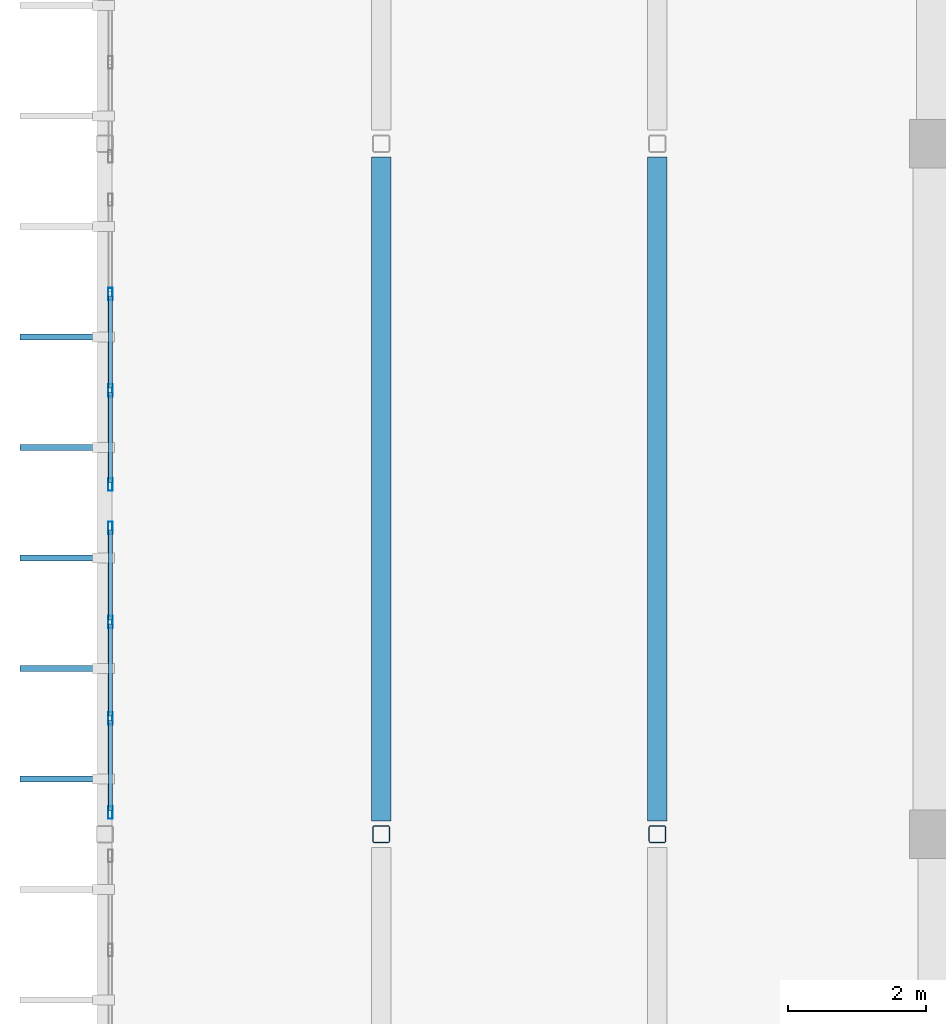
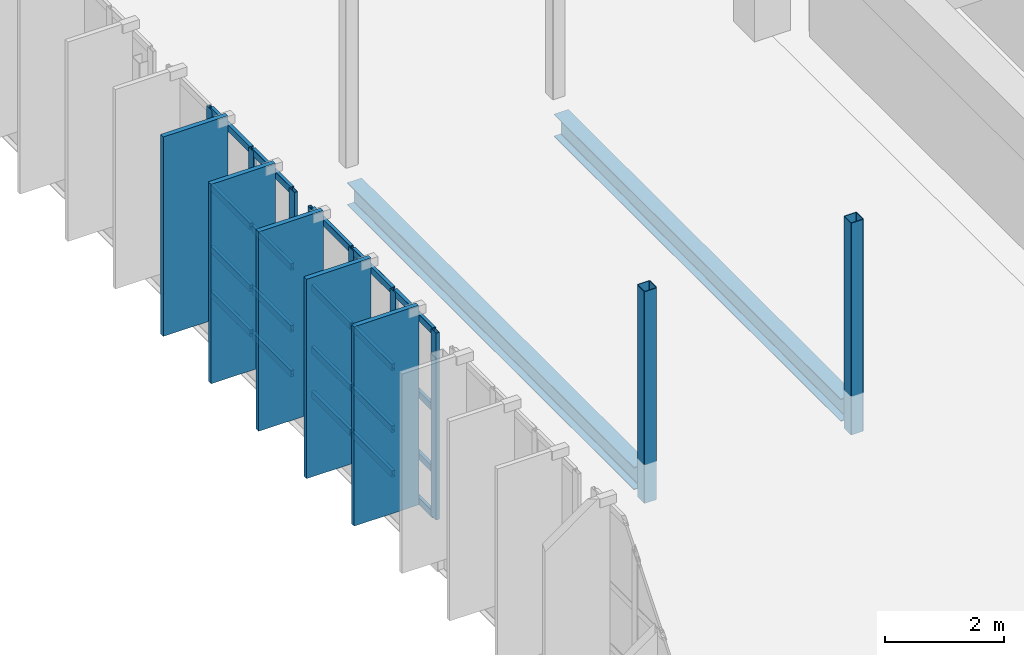
# One storey, part 32 of 110: 34 members, 2 beams, 2 elements without a shape of their own.
"""IFC4 building model written with IfcOpenShell, lengths in metres."""

from ifc_helpers import new_model, si_unit, direction, frame, origin, origin_2d, place, context, subcontext, project, spatial, rectangle, hollow_rectangle, i_section, extrude, material, material_profile, profile_set, type_object, element, aggregate, save


model = new_model("IFC4")

# Units and contexts
model_context = context("Model", 3, precision=1e-05, world=origin(), true_north=direction((0.0, 1.0)))
body_context = subcontext(model_context, "Body", "Model", "MODEL_VIEW")
ifc_project = project(units=[si_unit("LENGTHUNIT", "METRE"), si_unit("AREAUNIT", "SQUARE_METRE"), si_unit("VOLUMEUNIT", "CUBIC_METRE"), si_unit("PLANEANGLEUNIT", "RADIAN"), si_unit("MASSUNIT", "GRAM", prefix="KILO")], contexts=[model_context])

# Site, building, storey
site_placement = place(None, origin())
site = spatial("IfcSite", under=ifc_project, at=site_placement, CompositionType="ELEMENT")
building_placement = place(site_placement, origin())
building = spatial("IfcBuilding", under=site, at=building_placement, Name="Miravela Opera House", CompositionType="ELEMENT")
storey_placement = place(building_placement, frame((0.0, 0.0, 13.60009765625)))
storey = spatial("IfcBuildingStorey", under=building, at=storey_placement, Name="L03", CompositionType="ELEMENT", Elevation=13.60009765625)

# Curtain wall, members
ifc_material_1 = material(Name="Anodised architectural bronze aluminium 6063-T6", Category="aluminium")
curtain_wall_type = type_object("IfcCurtainWallType", Name="ARC-CW-02", PredefinedType="NOTDEFINED", material=ifc_material_1)
curtain_wall_1_placement = place(storey_placement, origin())
curtain_wall_1 = element("IfcCurtainWall", 1, at=curtain_wall_1_placement, inside=storey, type_object=curtain_wall_type, Name="Cantilever West Wrapper Glazing B5 CW-L03-019", PredefinedType="NOTDEFINED")
ifc_material_profile_1 = material_profile(ifc_material_1, hollow_rectangle(XDim=0.06494140625, YDim=0.179931640625, WallThickness=0.00390625, InnerFilletRadius=0.001953125, OuterFilletRadius=0.00390625, at=origin_2d()), Name="CWM-65X180")
ifc_profile_set_1 = profile_set([ifc_material_profile_1])
member_type_1 = type_object("IfcMemberType", Name="ARC-CWM-180", PredefinedType="MULLION", material=ifc_profile_set_1)
member_1_placement = place(storey_placement, frame((15.080078125, 56.3125, 0.0), z_axis=(0.0, 0.0, 1.0), x_axis=(-1.0, 0.0, 0.0)))
member_1 = element("IfcMember", 2, at=member_1_placement, type_object=member_type_1, Name="CW-02 mullion 1", PredefinedType="MULLION", context=body_context, shape_type="SweptSolid", body=[
    extrude(hollow_rectangle(XDim=0.06494140625, YDim=0.179931640625, WallThickness=0.00390625, InnerFilletRadius=0.001953125, OuterFilletRadius=0.00390625, at=origin_2d()), origin(), (0.0, 0.0, 1.0), 3.81982421875),
])
member_2_placement = place(storey_placement, frame((15.080078125, 57.6767578125, 0.0), z_axis=(0.0, 0.0, 1.0), x_axis=(-1.0, 0.0, 0.0)))
member_2 = element("IfcMember", 3, at=member_2_placement, type_object=member_type_1, Name="CW-02 mullion 2", PredefinedType="MULLION", context=body_context, shape_type="SweptSolid", body=[
    extrude(hollow_rectangle(XDim=0.06494140625, YDim=0.179931640625, WallThickness=0.00390625, InnerFilletRadius=0.001953125, OuterFilletRadius=0.00390625, at=origin_2d()), origin(), (0.0, 0.0, 1.0), 3.81982421875),
])
member_3_placement = place(storey_placement, frame((15.080078125, 59.0732421875, 0.0), z_axis=(0.0, 0.0, 1.0), x_axis=(-1.0, 0.0, 0.0)))
member_3 = element("IfcMember", 4, at=member_3_placement, type_object=member_type_1, Name="CW-02 mullion 3", PredefinedType="MULLION", context=body_context, shape_type="SweptSolid", body=[
    extrude(hollow_rectangle(XDim=0.06494140625, YDim=0.179931640625, WallThickness=0.00390625, InnerFilletRadius=0.001953125, OuterFilletRadius=0.00390625, at=origin_2d()), origin(), (0.0, 0.0, 1.0), 3.81982421875),
])
member_4_placement = place(storey_placement, frame((15.080078125, 60.4375, 0.0), z_axis=(0.0, 0.0, 1.0), x_axis=(-1.0, 0.0, 0.0)))
member_4 = element("IfcMember", 5, at=member_4_placement, type_object=member_type_1, Name="CW-02 mullion 4", PredefinedType="MULLION", context=body_context, shape_type="SweptSolid", body=[
    extrude(hollow_rectangle(XDim=0.06494140625, YDim=0.179931640625, WallThickness=0.00390625, InnerFilletRadius=0.001953125, OuterFilletRadius=0.00390625, at=origin_2d()), origin(), (0.0, 0.0, 1.0), 3.81982421875),
])

curtain_wall_2_placement = place(storey_placement, origin())
curtain_wall_2 = element("IfcCurtainWall", 6, at=curtain_wall_2_placement, inside=storey, type_object=curtain_wall_type, Name="Cantilever West Wrapper Glazing B6 CW-L03-020", PredefinedType="NOTDEFINED")
member_5_placement = place(storey_placement, frame((15.080078125, 61.0625, 0.0), z_axis=(0.0, 0.0, 1.0), x_axis=(-1.0, 0.0, 0.0)))
member_5 = element("IfcMember", 7, at=member_5_placement, type_object=member_type_1, Name="CW-02 mullion 1", PredefinedType="MULLION", context=body_context, shape_type="SweptSolid", body=[
    extrude(hollow_rectangle(XDim=0.06494140625, YDim=0.179931640625, WallThickness=0.00390625, InnerFilletRadius=0.001953125, OuterFilletRadius=0.00390625, at=origin_2d()), origin(), (0.0, 0.0, 1.0), 3.81982421875),
])
member_6_placement = place(storey_placement, frame((15.080078125, 62.4267578125, 0.0), z_axis=(0.0, 0.0, 1.0), x_axis=(-1.0, 0.0, 0.0)))
member_6 = element("IfcMember", 8, at=member_6_placement, type_object=member_type_1, Name="CW-02 mullion 2", PredefinedType="MULLION", context=body_context, shape_type="SweptSolid", body=[
    extrude(hollow_rectangle(XDim=0.06494140625, YDim=0.179931640625, WallThickness=0.00390625, InnerFilletRadius=0.001953125, OuterFilletRadius=0.00390625, at=origin_2d()), origin(), (0.0, 0.0, 1.0), 3.81982421875),
])
member_7_placement = place(storey_placement, frame((15.080078125, 63.8232421875, 0.0), z_axis=(0.0, 0.0, 1.0), x_axis=(-1.0, 0.0, 0.0)))
member_7 = element("IfcMember", 9, at=member_7_placement, type_object=member_type_1, Name="CW-02 mullion 3", PredefinedType="MULLION", context=body_context, shape_type="SweptSolid", body=[
    extrude(hollow_rectangle(XDim=0.06494140625, YDim=0.179931640625, WallThickness=0.00390625, InnerFilletRadius=0.001953125, OuterFilletRadius=0.00390625, at=origin_2d()), origin(), (0.0, 0.0, 1.0), 3.81982421875),
])

# Member
ifc_material_profile_2 = material_profile(ifc_material_1, hollow_rectangle(XDim=0.06494140625, YDim=0.139892578125, WallThickness=0.00390625, InnerFilletRadius=0.001953125, OuterFilletRadius=0.00390625, at=origin_2d()), Name="CWT-65X140")
ifc_profile_set_2 = profile_set([ifc_material_profile_2])
member_type_2 = type_object("IfcMemberType", Name="ARC-CWT-140", PredefinedType="USERDEFINED", material=ifc_profile_set_2)
member_8_placement = place(storey_placement, frame((15.080078125, 56.344970703125, 0.032470703125), z_axis=(0.0, 1.0, 0.0), x_axis=(-1.0, 0.0, 0.0)))
member_8 = element("IfcMember", 10, at=member_8_placement, type_object=member_type_2, Name="CW-02 transom 1.1", ObjectType="TRANSOM", PredefinedType="USERDEFINED", context=body_context, shape_type="SweptSolid", body=[
    extrude(hollow_rectangle(XDim=0.06494140625, YDim=0.139892578125, WallThickness=0.00390625, InnerFilletRadius=0.001953125, OuterFilletRadius=0.00390625, at=origin_2d()), origin(), (0.0, 0.0, 1.0), 1.29931640625),
])

member_9_placement = place(storey_placement, frame((15.080078125, 56.344970703125, 0.949951171875), z_axis=(0.0, 1.0, 0.0), x_axis=(-1.0, 0.0, 0.0)))
member_9 = element("IfcMember", 11, at=member_9_placement, type_object=member_type_2, Name="CW-02 transom 1.2", ObjectType="TRANSOM", PredefinedType="USERDEFINED", context=body_context, shape_type="SweptSolid", body=[
    extrude(hollow_rectangle(XDim=0.06494140625, YDim=0.139892578125, WallThickness=0.00390625, InnerFilletRadius=0.001953125, OuterFilletRadius=0.00390625, at=origin_2d()), origin(), (0.0, 0.0, 1.0), 1.29931640625),
])

member_10_placement = place(storey_placement, frame((15.080078125, 56.344970703125, 2.215576171875), z_axis=(0.0, 1.0, 0.0), x_axis=(-1.0, 0.0, 0.0)))
member_10 = element("IfcMember", 12, at=member_10_placement, type_object=member_type_2, Name="CW-02 transom 1.3", ObjectType="TRANSOM", PredefinedType="USERDEFINED", context=body_context, shape_type="SweptSolid", body=[
    extrude(hollow_rectangle(XDim=0.06494140625, YDim=0.139892578125, WallThickness=0.00390625, InnerFilletRadius=0.001953125, OuterFilletRadius=0.00390625, at=origin_2d()), origin(), (0.0, 0.0, 1.0), 1.29931640625),
])

member_11_placement = place(storey_placement, frame((15.080078125, 56.344970703125, 3.787353515625), z_axis=(0.0, 1.0, 0.0), x_axis=(-1.0, 0.0, 0.0)))
member_11 = element("IfcMember", 13, at=member_11_placement, type_object=member_type_2, Name="CW-02 transom 1.4", ObjectType="TRANSOM", PredefinedType="USERDEFINED", context=body_context, shape_type="SweptSolid", body=[
    extrude(hollow_rectangle(XDim=0.06494140625, YDim=0.139892578125, WallThickness=0.00390625, InnerFilletRadius=0.001953125, OuterFilletRadius=0.00390625, at=origin_2d()), origin(), (0.0, 0.0, 1.0), 1.29931640625),
])

member_12_placement = place(storey_placement, frame((15.080078125, 57.709228515625, 0.032470703125), z_axis=(0.0, 1.0, 0.0), x_axis=(-1.0, 0.0, 0.0)))
member_12 = element("IfcMember", 14, at=member_12_placement, type_object=member_type_2, Name="CW-02 transom 2.1", ObjectType="TRANSOM", PredefinedType="USERDEFINED", context=body_context, shape_type="SweptSolid", body=[
    extrude(hollow_rectangle(XDim=0.06494140625, YDim=0.139892578125, WallThickness=0.00390625, InnerFilletRadius=0.001953125, OuterFilletRadius=0.00390625, at=origin_2d()), origin(), (0.0, 0.0, 1.0), 1.33154296875),
])

member_13_placement = place(storey_placement, frame((15.080078125, 57.709228515625, 0.949951171875), z_axis=(0.0, 1.0, 0.0), x_axis=(-1.0, 0.0, 0.0)))
member_13 = element("IfcMember", 15, at=member_13_placement, type_object=member_type_2, Name="CW-02 transom 2.2", ObjectType="TRANSOM", PredefinedType="USERDEFINED", context=body_context, shape_type="SweptSolid", body=[
    extrude(hollow_rectangle(XDim=0.06494140625, YDim=0.139892578125, WallThickness=0.00390625, InnerFilletRadius=0.001953125, OuterFilletRadius=0.00390625, at=origin_2d()), origin(), (0.0, 0.0, 1.0), 1.33154296875),
])

member_14_placement = place(storey_placement, frame((15.080078125, 57.709228515625, 2.215576171875), z_axis=(0.0, 1.0, 0.0), x_axis=(-1.0, 0.0, 0.0)))
member_14 = element("IfcMember", 16, at=member_14_placement, type_object=member_type_2, Name="CW-02 transom 2.3", ObjectType="TRANSOM", PredefinedType="USERDEFINED", context=body_context, shape_type="SweptSolid", body=[
    extrude(hollow_rectangle(XDim=0.06494140625, YDim=0.139892578125, WallThickness=0.00390625, InnerFilletRadius=0.001953125, OuterFilletRadius=0.00390625, at=origin_2d()), origin(), (0.0, 0.0, 1.0), 1.33154296875),
])

member_15_placement = place(storey_placement, frame((15.080078125, 57.709228515625, 3.787353515625), z_axis=(0.0, 1.0, 0.0), x_axis=(-1.0, 0.0, 0.0)))
member_15 = element("IfcMember", 17, at=member_15_placement, type_object=member_type_2, Name="CW-02 transom 2.4", ObjectType="TRANSOM", PredefinedType="USERDEFINED", context=body_context, shape_type="SweptSolid", body=[
    extrude(hollow_rectangle(XDim=0.06494140625, YDim=0.139892578125, WallThickness=0.00390625, InnerFilletRadius=0.001953125, OuterFilletRadius=0.00390625, at=origin_2d()), origin(), (0.0, 0.0, 1.0), 1.33154296875),
])

member_16_placement = place(storey_placement, frame((15.080078125, 59.105712890625, 0.032470703125), z_axis=(0.0, 1.0, 0.0), x_axis=(-1.0, 0.0, 0.0)))
member_16 = element("IfcMember", 18, at=member_16_placement, type_object=member_type_2, Name="CW-02 transom 3.1", ObjectType="TRANSOM", PredefinedType="USERDEFINED", context=body_context, shape_type="SweptSolid", body=[
    extrude(hollow_rectangle(XDim=0.06494140625, YDim=0.139892578125, WallThickness=0.00390625, InnerFilletRadius=0.001953125, OuterFilletRadius=0.00390625, at=origin_2d()), origin(), (0.0, 0.0, 1.0), 1.29931640625),
])

member_17_placement = place(storey_placement, frame((15.080078125, 59.105712890625, 0.949951171875), z_axis=(0.0, 1.0, 0.0), x_axis=(-1.0, 0.0, 0.0)))
member_17 = element("IfcMember", 19, at=member_17_placement, type_object=member_type_2, Name="CW-02 transom 3.2", ObjectType="TRANSOM", PredefinedType="USERDEFINED", context=body_context, shape_type="SweptSolid", body=[
    extrude(hollow_rectangle(XDim=0.06494140625, YDim=0.139892578125, WallThickness=0.00390625, InnerFilletRadius=0.001953125, OuterFilletRadius=0.00390625, at=origin_2d()), origin(), (0.0, 0.0, 1.0), 1.29931640625),
])

member_18_placement = place(storey_placement, frame((15.080078125, 59.105712890625, 2.215576171875), z_axis=(0.0, 1.0, 0.0), x_axis=(-1.0, 0.0, 0.0)))
member_18 = element("IfcMember", 20, at=member_18_placement, type_object=member_type_2, Name="CW-02 transom 3.3", ObjectType="TRANSOM", PredefinedType="USERDEFINED", context=body_context, shape_type="SweptSolid", body=[
    extrude(hollow_rectangle(XDim=0.06494140625, YDim=0.139892578125, WallThickness=0.00390625, InnerFilletRadius=0.001953125, OuterFilletRadius=0.00390625, at=origin_2d()), origin(), (0.0, 0.0, 1.0), 1.29931640625),
])

member_19_placement = place(storey_placement, frame((15.080078125, 59.105712890625, 3.787353515625), z_axis=(0.0, 1.0, 0.0), x_axis=(-1.0, 0.0, 0.0)))
member_19 = element("IfcMember", 21, at=member_19_placement, type_object=member_type_2, Name="CW-02 transom 3.4", ObjectType="TRANSOM", PredefinedType="USERDEFINED", context=body_context, shape_type="SweptSolid", body=[
    extrude(hollow_rectangle(XDim=0.06494140625, YDim=0.139892578125, WallThickness=0.00390625, InnerFilletRadius=0.001953125, OuterFilletRadius=0.00390625, at=origin_2d()), origin(), (0.0, 0.0, 1.0), 1.29931640625),
])

aggregate(curtain_wall_1, [member_1, member_2, member_3, member_4, member_8, member_9, member_10, member_11, member_12, member_13, member_14, member_15, member_16, member_17, member_18, member_19])

member_20_placement = place(storey_placement, frame((15.080078125, 61.094970703125, 0.032470703125), z_axis=(0.0, 1.0, 0.0), x_axis=(-1.0, 0.0, 0.0)))
member_20 = element("IfcMember", 22, at=member_20_placement, type_object=member_type_2, Name="CW-02 transom 1.1", ObjectType="TRANSOM", PredefinedType="USERDEFINED", context=body_context, shape_type="SweptSolid", body=[
    extrude(hollow_rectangle(XDim=0.06494140625, YDim=0.139892578125, WallThickness=0.00390625, InnerFilletRadius=0.001953125, OuterFilletRadius=0.00390625, at=origin_2d()), origin(), (0.0, 0.0, 1.0), 1.29931640625),
])

member_21_placement = place(storey_placement, frame((15.080078125, 61.094970703125, 0.949951171875), z_axis=(0.0, 1.0, 0.0), x_axis=(-1.0, 0.0, 0.0)))
member_21 = element("IfcMember", 23, at=member_21_placement, type_object=member_type_2, Name="CW-02 transom 1.2", ObjectType="TRANSOM", PredefinedType="USERDEFINED", context=body_context, shape_type="SweptSolid", body=[
    extrude(hollow_rectangle(XDim=0.06494140625, YDim=0.139892578125, WallThickness=0.00390625, InnerFilletRadius=0.001953125, OuterFilletRadius=0.00390625, at=origin_2d()), origin(), (0.0, 0.0, 1.0), 1.29931640625),
])

member_22_placement = place(storey_placement, frame((15.080078125, 61.094970703125, 2.215576171875), z_axis=(0.0, 1.0, 0.0), x_axis=(-1.0, 0.0, 0.0)))
member_22 = element("IfcMember", 24, at=member_22_placement, type_object=member_type_2, Name="CW-02 transom 1.3", ObjectType="TRANSOM", PredefinedType="USERDEFINED", context=body_context, shape_type="SweptSolid", body=[
    extrude(hollow_rectangle(XDim=0.06494140625, YDim=0.139892578125, WallThickness=0.00390625, InnerFilletRadius=0.001953125, OuterFilletRadius=0.00390625, at=origin_2d()), origin(), (0.0, 0.0, 1.0), 1.29931640625),
])

member_23_placement = place(storey_placement, frame((15.080078125, 61.094970703125, 3.787353515625), z_axis=(0.0, 1.0, 0.0), x_axis=(-1.0, 0.0, 0.0)))
member_23 = element("IfcMember", 25, at=member_23_placement, type_object=member_type_2, Name="CW-02 transom 1.4", ObjectType="TRANSOM", PredefinedType="USERDEFINED", context=body_context, shape_type="SweptSolid", body=[
    extrude(hollow_rectangle(XDim=0.06494140625, YDim=0.139892578125, WallThickness=0.00390625, InnerFilletRadius=0.001953125, OuterFilletRadius=0.00390625, at=origin_2d()), origin(), (0.0, 0.0, 1.0), 1.29931640625),
])

member_24_placement = place(storey_placement, frame((15.080078125, 62.459228515625, 0.032470703125), z_axis=(0.0, 1.0, 0.0), x_axis=(-1.0, 0.0, 0.0)))
member_24 = element("IfcMember", 26, at=member_24_placement, type_object=member_type_2, Name="CW-02 transom 2.1", ObjectType="TRANSOM", PredefinedType="USERDEFINED", context=body_context, shape_type="SweptSolid", body=[
    extrude(hollow_rectangle(XDim=0.06494140625, YDim=0.139892578125, WallThickness=0.00390625, InnerFilletRadius=0.001953125, OuterFilletRadius=0.00390625, at=origin_2d()), origin(), (0.0, 0.0, 1.0), 1.33154296875),
])

member_25_placement = place(storey_placement, frame((15.080078125, 62.459228515625, 0.949951171875), z_axis=(0.0, 1.0, 0.0), x_axis=(-1.0, 0.0, 0.0)))
member_25 = element("IfcMember", 27, at=member_25_placement, type_object=member_type_2, Name="CW-02 transom 2.2", ObjectType="TRANSOM", PredefinedType="USERDEFINED", context=body_context, shape_type="SweptSolid", body=[
    extrude(hollow_rectangle(XDim=0.06494140625, YDim=0.139892578125, WallThickness=0.00390625, InnerFilletRadius=0.001953125, OuterFilletRadius=0.00390625, at=origin_2d()), origin(), (0.0, 0.0, 1.0), 1.33154296875),
])

member_26_placement = place(storey_placement, frame((15.080078125, 62.459228515625, 2.215576171875), z_axis=(0.0, 1.0, 0.0), x_axis=(-1.0, 0.0, 0.0)))
member_26 = element("IfcMember", 28, at=member_26_placement, type_object=member_type_2, Name="CW-02 transom 2.3", ObjectType="TRANSOM", PredefinedType="USERDEFINED", context=body_context, shape_type="SweptSolid", body=[
    extrude(hollow_rectangle(XDim=0.06494140625, YDim=0.139892578125, WallThickness=0.00390625, InnerFilletRadius=0.001953125, OuterFilletRadius=0.00390625, at=origin_2d()), origin(), (0.0, 0.0, 1.0), 1.33154296875),
])

member_27_placement = place(storey_placement, frame((15.080078125, 62.459228515625, 3.787353515625), z_axis=(0.0, 1.0, 0.0), x_axis=(-1.0, 0.0, 0.0)))
member_27 = element("IfcMember", 29, at=member_27_placement, type_object=member_type_2, Name="CW-02 transom 2.4", ObjectType="TRANSOM", PredefinedType="USERDEFINED", context=body_context, shape_type="SweptSolid", body=[
    extrude(hollow_rectangle(XDim=0.06494140625, YDim=0.139892578125, WallThickness=0.00390625, InnerFilletRadius=0.001953125, OuterFilletRadius=0.00390625, at=origin_2d()), origin(), (0.0, 0.0, 1.0), 1.33154296875),
])

aggregate(curtain_wall_2, [member_5, member_6, member_7, member_20, member_21, member_22, member_23, member_24, member_25, member_26, member_27])

# Members
ifc_material_profile_3 = material_profile(ifc_material_1, rectangle(XDim=0.090087890625, YDim=1.25, at=origin_2d()), Name="FIN-1250X90")
ifc_profile_set_3 = profile_set([ifc_material_profile_3])
member_type_3 = type_object("IfcMemberType", Name="ARC-FIN-1250", PredefinedType="USERDEFINED", material=ifc_profile_set_3)
for number, where, z_axis, x_axis, name in (
    (30, (14.39501953125, 56.800048828125, 0.0), (0.0, 0.0, 1.0), (0.0, 1.0, 0.0), "Auditorium Wrapper Bronze Solar Fin FIN-L03-WEST-0049"),
    (31, (14.39501953125, 58.39990234375, 0.0), (0.0, 0.0, 1.0), (0.0, 1.0, 0.0), "Auditorium Wrapper Bronze Solar Fin FIN-L03-WEST-0050"),
    (32, (14.39501953125, 60.0, 0.0), (0.0, 0.0, 1.0), (0.0, 1.0, 0.0), "Auditorium Wrapper Bronze Solar Fin FIN-L03-WEST-0051"),
    (33, (14.39501953125, 61.60009765625, 0.0), (0.0, 0.0, 1.0), (0.0, 1.0, 0.0), "Auditorium Wrapper Bronze Solar Fin FIN-L03-WEST-0052"),
    (34, (14.39501953125, 63.199951171875, 0.0), (0.0, 0.0, 1.0), (0.0, 1.0, 0.0), "Auditorium Wrapper Bronze Solar Fin FIN-L03-WEST-0053"),
):
    element("IfcMember", number, at=place(storey_placement, frame(where, z_axis=z_axis, x_axis=x_axis)), inside=storey, type_object=member_type_3, Name=name, ObjectType="FIN", PredefinedType="USERDEFINED", context=body_context, shape_type="SweptSolid", body=[
        extrude(rectangle(XDim=0.090087890625, YDim=1.25, at=origin_2d()), origin(), (0.0, 0.0, 1.0), 4.079833984375),
    ])

# Beams
ifc_material_2 = material(Name="Structural steel ASTM A992 Gr. 50", Category="steel")
ifc_material_profile_4 = material_profile(ifc_material_2, i_section(OverallWidth=0.280029296875, OverallDepth=0.462890625, WebThickness=0.0107421875, FlangeThickness=0.017333984375, FilletRadius=0.014892578125, at=origin_2d()), Name="W460X113")
ifc_profile_set_4 = profile_set([ifc_material_profile_4])
beam_type = type_object("IfcBeamType", Name="STR-BM-W460X113", PredefinedType="BEAM", material=ifc_profile_set_4)
for number, where, z_axis, x_axis, name in (
    (35, (19.0, 56.195068359375, -0.4716796875), (0.0, 1.0, 0.0), (-1.0, 0.0, 0.0), "Cantilever Overhang Beam L03 X=19"),
    (36, (23.0, 56.195068359375, -0.4716796875), (0.0, 1.0, 0.0), (-1.0, 0.0, 0.0), "Cantilever Overhang Beam L03 X=23"),
):
    element("IfcBeam", number, at=place(storey_placement, frame(where, z_axis=z_axis, x_axis=x_axis)), inside=storey, type_object=beam_type, Name=name, PredefinedType="BEAM", context=body_context, shape_type="SweptSolid", body=[
        extrude(i_section(OverallWidth=0.280029296875, OverallDepth=0.462890625, WebThickness=0.0107421875, FlangeThickness=0.017333984375, FilletRadius=0.014892578125, at=origin_2d()), origin(), (0.0, 0.0, 1.0), 9.60986328125),
    ])

# Members
ifc_material_3 = material(Name="Hollow structural steel ASTM A500 Gr. C", Category="steel")
ifc_material_profile_5 = material_profile(ifc_material_3, hollow_rectangle(XDim=0.25, YDim=0.25, WallThickness=0.011962890625, InnerFilletRadius=0.011962890625, OuterFilletRadius=0.02392578125, at=origin_2d()), Name="HSS250X250X12")
ifc_profile_set_5 = profile_set([ifc_material_profile_5])
member_type_4 = type_object("IfcMemberType", Name="STR-MEM-CANT-POST2", PredefinedType="POST", material=ifc_profile_set_5)
for number, where, z_axis, x_axis, name in (
    (37, (19.0, 56.0, -0.793212890625), (0.0, 0.0, 1.0), (1.0, 0.0, 0.0), "Upper Wrapper Truss Post L03 X=19.0"),
    (38, (23.0, 56.0, -0.793212890625), (0.0, 0.0, 1.0), (1.0, 0.0, 0.0), "Upper Wrapper Truss Post L03 X=23.0"),
):
    element("IfcMember", number, at=place(storey_placement, frame(where, z_axis=z_axis, x_axis=x_axis)), inside=storey, type_object=member_type_4, Name=name, PredefinedType="POST", context=body_context, shape_type="SweptSolid", body=[
        extrude(hollow_rectangle(XDim=0.25, YDim=0.25, WallThickness=0.011962890625, InnerFilletRadius=0.011962890625, OuterFilletRadius=0.02392578125, at=origin_2d()), origin(), (0.0, 0.0, 1.0), 4.3330078125),
    ])

save(model, "model.ifc")
